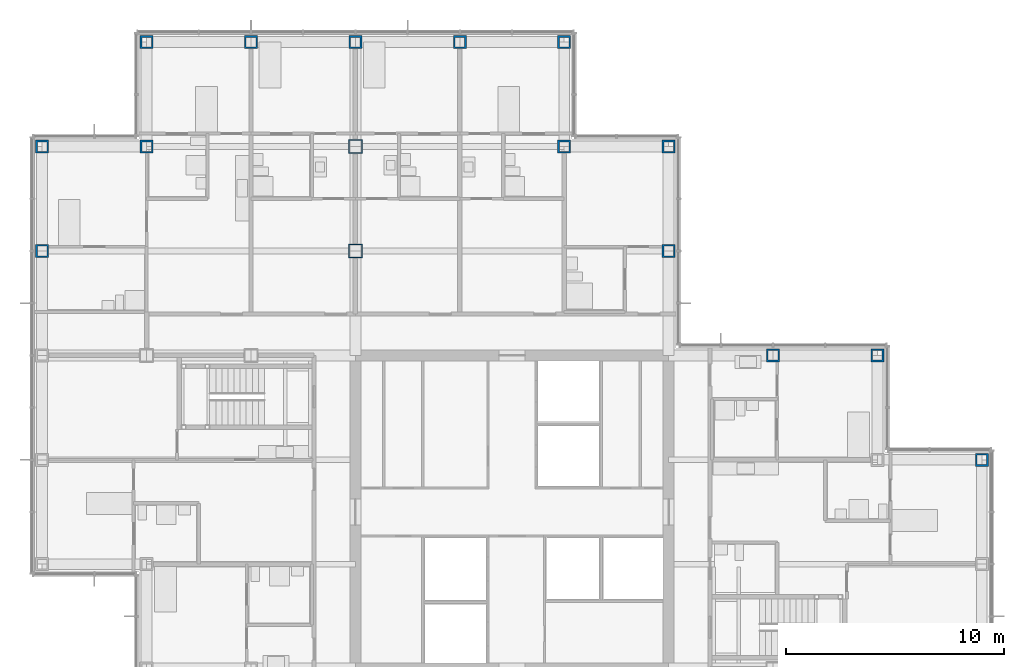
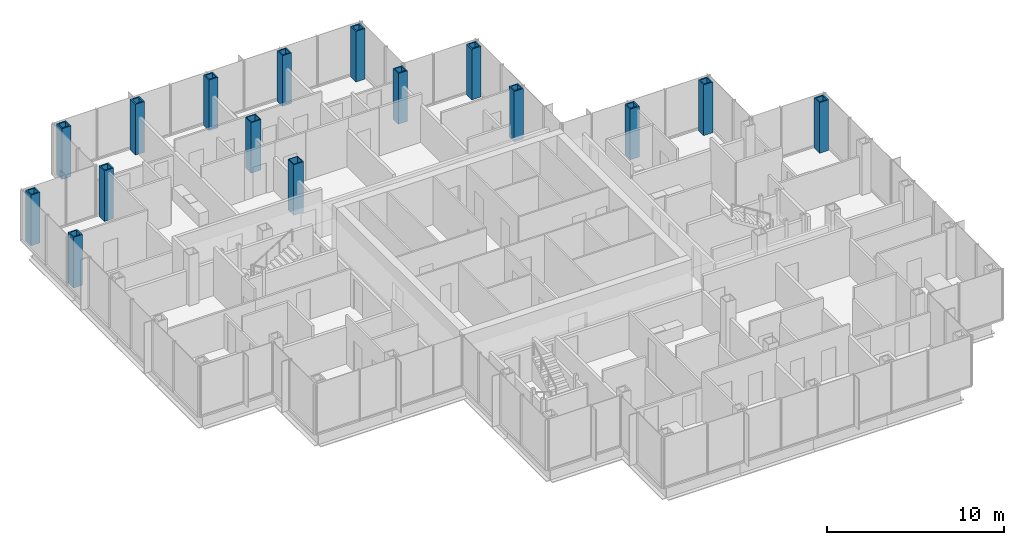
# One storey, part 5 of 20: 16 columns.
"""IFC4 building model written with IfcOpenShell, lengths in metres."""

from ifc_helpers import new_model, si_unit, direction, frame, origin, origin_2d, place, context, subcontext, project, spatial, hollow_rectangle, extrude, material, material_profile, profile_set, type_object, element, save


model = new_model("IFC4")

# Units and contexts
model_context = context("Model", 3, precision=1e-05, world=origin(), true_north=direction((0.0, 1.0)))
body_context = subcontext(model_context, "Body", "Model", "MODEL_VIEW")
ifc_project = project(units=[si_unit("LENGTHUNIT", "METRE"), si_unit("AREAUNIT", "SQUARE_METRE"), si_unit("VOLUMEUNIT", "CUBIC_METRE"), si_unit("PLANEANGLEUNIT", "RADIAN"), si_unit("MASSUNIT", "GRAM", prefix="KILO")], contexts=[model_context])

# Site, building, storey
site_placement = place(None, origin())
site = spatial("IfcSite", under=ifc_project, at=site_placement, CompositionType="ELEMENT")
building_placement = place(site_placement, origin())
building = spatial("IfcBuilding", under=site, at=building_placement, Name="Kvirike Care Tower", CompositionType="ELEMENT")
storey_placement = place(building_placement, frame((0.0, 0.0, 119.0)))
storey = spatial("IfcBuildingStorey", under=building, at=storey_placement, Name="L32", CompositionType="ELEMENT", Elevation=119.0)

# Columns
ifc_material_1 = material(Name="Steel S460", Category="steel")
ifc_material_profile_1 = material_profile(ifc_material_1, hollow_rectangle(XDim=0.60009765625, YDim=0.60009765625, WallThickness=0.080078125, at=origin_2d()), Name="BX 600x600x80")
ifc_profile_set_1 = profile_set([ifc_material_profile_1], Name="Steel S460")
column_type_1 = type_object("IfcColumnType", Name="COLUMN BX 600x600x80", PredefinedType="COLUMN", material=ifc_profile_set_1)
for number, where, z_axis, x_axis, name in (
    (1, (0.0, 48.0, 0.0), (0.0, 0.0, 1.0), (1.0, 0.0, 0.0), "Column L3 L32"),
    (2, (0.0, 52.800048828125, 0.0), (0.0, 0.0, 1.0), (0.0, 1.0, 0.0), "Column M3 L32"),
    (3, (4.800048828125, 52.800048828125, 0.0), (0.0, 0.0, 1.0), (0.0, 1.0, 0.0), "Column M4 L32"),
    (4, (4.800048828125, 57.60009765625, 0.0), (0.0, 0.0, 1.0), (0.0, 1.0, 0.0), "Column N4 L32"),
    (5, (9.60009765625, 57.60009765625, 0.0), (0.0, 0.0, 1.0), (0.0, 1.0, 0.0), "Column N5 L32"),
    (6, (14.39990234375, 57.60009765625, 0.0), (0.0, 0.0, 1.0), (0.0, 1.0, 0.0), "Column N6 L32"),
    (7, (19.199951171875, 57.60009765625, 0.0), (0.0, 0.0, 1.0), (0.0, 1.0, 0.0), "Column N7 L32"),
    (8, (24.0, 52.800048828125, 0.0), (0.0, 0.0, 1.0), (0.0, 1.0, 0.0), "Column M8 L32"),
    (9, (24.0, 57.60009765625, 0.0), (0.0, 0.0, 1.0), (0.0, 1.0, 0.0), "Column N8 L32"),
    (10, (28.800048828125, 48.0, 0.0), (0.0, 0.0, 1.0), (1.0, 0.0, 0.0), "Column L9 L32"),
    (11, (28.800048828125, 52.800048828125, 0.0), (0.0, 0.0, 1.0), (0.0, 1.0, 0.0), "Column M9 L32"),
    (12, (33.60009765625, 43.199951171875, 0.0), (0.0, 0.0, 1.0), (0.0, 1.0, 0.0), "Column K10 L32"),
    (13, (38.39990234375, 43.199951171875, 0.0), (0.0, 0.0, 1.0), (0.0, 1.0, 0.0), "Column K11 L32"),
    (14, (43.199951171875, 38.39990234375, 0.0), (0.0, 0.0, 1.0), (0.0, 1.0, 0.0), "Column J12 L32"),
):
    element("IfcColumn", number, at=place(storey_placement, frame(where, z_axis=z_axis, x_axis=x_axis)), inside=storey, type_object=column_type_1, Name=name, PredefinedType="COLUMN", context=body_context, shape_type="SweptSolid", body=[
        extrude(hollow_rectangle(XDim=0.60009765625, YDim=0.60009765625, WallThickness=0.080078125, at=origin_2d()), origin(), (0.0, 0.0, 1.0), 3.5),
    ])
ifc_material_2 = material(Name="Steel S460", Category="steel")
ifc_material_profile_2 = material_profile(ifc_material_2, hollow_rectangle(XDim=0.64990234375, YDim=0.64990234375, WallThickness=0.050048828125, at=origin_2d()), Name="BX 650x650x50")
ifc_profile_set_2 = profile_set([ifc_material_profile_2], Name="Steel S460")
column_type_2 = type_object("IfcColumnType", Name="COLUMN BX 650x650x50", PredefinedType="COLUMN", material=ifc_profile_set_2)
for number, where, z_axis, x_axis, name in (
    (15, (14.39990234375, 48.0, 0.0), (0.0, 0.0, 1.0), (1.0, 0.0, 0.0), "Column L6 L32"),
    (16, (14.39990234375, 52.800048828125, 0.0), (0.0, 0.0, 1.0), (1.0, 0.0, 0.0), "Column M6 L32"),
):
    element("IfcColumn", number, at=place(storey_placement, frame(where, z_axis=z_axis, x_axis=x_axis)), inside=storey, type_object=column_type_2, Name=name, PredefinedType="COLUMN", context=body_context, shape_type="SweptSolid", body=[
        extrude(hollow_rectangle(XDim=0.64990234375, YDim=0.64990234375, WallThickness=0.050048828125, at=origin_2d()), origin(), (0.0, 0.0, 1.0), 3.5),
    ])

save(model, "model.ifc")
